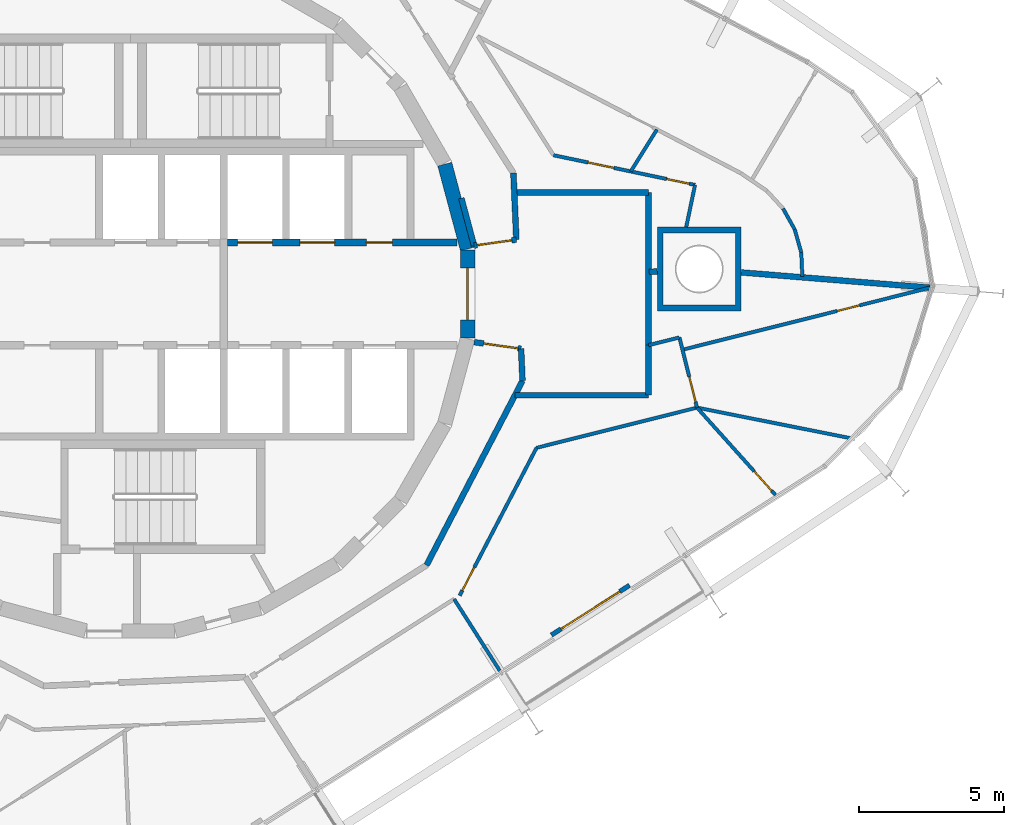
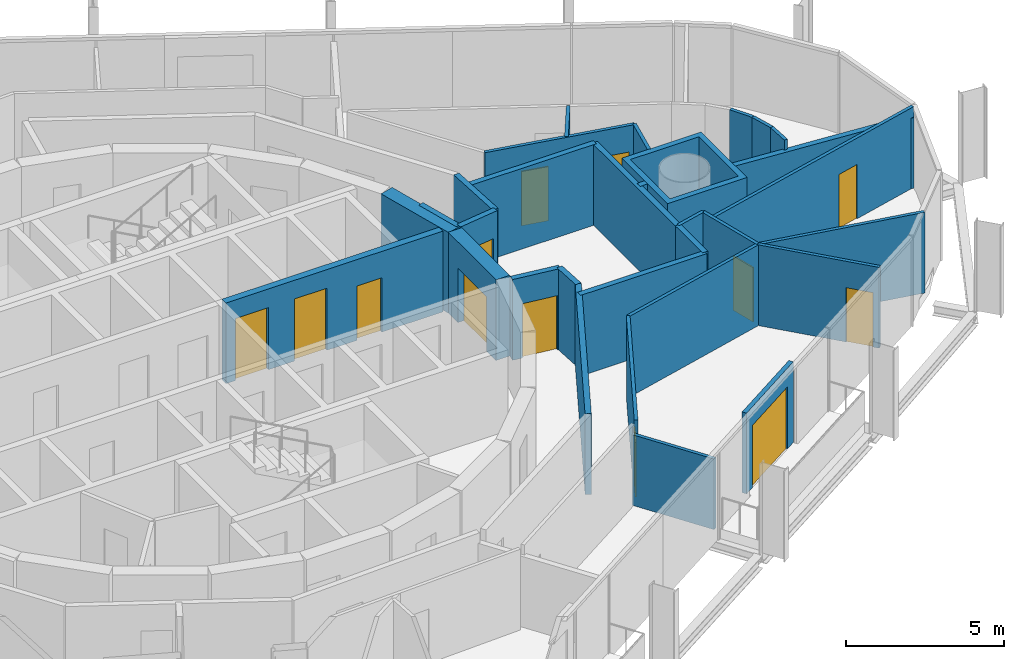
# One storey, part 14 of 18: 31 walls, 13 doors, 13 openings.
"""IFC4 building model written with IfcOpenShell, lengths in metres."""

from ifc_helpers import new_model, si_unit, direction, frame, frame_2d, origin, place, context, subcontext, project, spatial, polyline, rectangle, outline, extrude, material, layer, layer_set, type_object, element, fill, save


model = new_model("IFC4")

# Units and contexts
model_context = context("Model", 3, precision=1e-05, world=origin(), true_north=direction((0.0, 1.0)))
body_context = subcontext(model_context, "Body", "Model", "MODEL_VIEW")
ifc_project = project(units=[si_unit("LENGTHUNIT", "METRE"), si_unit("AREAUNIT", "SQUARE_METRE"), si_unit("VOLUMEUNIT", "CUBIC_METRE"), si_unit("PLANEANGLEUNIT", "RADIAN"), si_unit("MASSUNIT", "GRAM", prefix="KILO")], contexts=[model_context])

# Site, building, storey
site_placement = place(None, origin())
site = spatial("IfcSite", under=ifc_project, at=site_placement, CompositionType="ELEMENT")
building_placement = place(site_placement, origin())
building = spatial("IfcBuilding", under=site, at=building_placement, Name="Spindle Arch Residences", CompositionType="ELEMENT")
storey_placement = place(building_placement, frame((0.0, 0.0, 233.699951171875)))
storey = spatial("IfcBuildingStorey", under=building, at=storey_placement, Name="L59", CompositionType="ELEMENT", Elevation=233.699951171875)

# Wall, opening, door
ifc_material_1 = material(Name="Concrete C50/60", Category="concrete")
ifc_layer_1 = layer(ifc_material_1, 0.5)
ifc_layer_set_1 = layer_set([ifc_layer_1], Name="Core outline wall 500")
wall_type_1 = type_object("IfcWallType", Name="Core outline wall 500", PredefinedType="SHEAR", material=ifc_layer_set_1)
wall_1_placement = place(storey_placement, frame((11.647216796875, -1.516357421875, 0.0), z_axis=(0.0, 0.0, 1.0), x_axis=(0.0, 1.0, 0.0)))
wall_1 = element("IfcWall", 1, at=wall_1_placement, inside=storey, type_object=wall_type_1, Name="Core outline wall 6", PredefinedType="SHEAR", context=body_context, shape_type="SweptSolid", body=[
    extrude(rectangle(XDim=3.03271484375, YDim=0.5, at=frame_2d((1.516357421875, 0.0))), origin(), (0.0, 0.0, 1.0), 3.1201171875),
])
opening_1_placement = place(wall_1_placement, frame((0.6162109375, 0.0, 0.0)))
opening_1 = element("IfcOpeningElement", 2, at=opening_1_placement, cuts=wall_1, Name="Opening R6A0-FE01", PredefinedType="OPENING", context=body_context, shape_type="SweptSolid", body=[
    extrude(rectangle(XDim=1.800048828125, YDim=2.10009765625, at=frame_2d((0.89990234375, 1.050048828125))), frame((0.0, 0.260009765625, 0.0), z_axis=(0.0, -1.0, 0.0), x_axis=(1.0, 0.0, 0.0)), (0.0, 0.0, 1.0), 0.52001953125),
])
ifc_material_2 = material(Name="Steel, fire-resisting door", Category="steel")
door_type_1 = type_object("IfcDoorType", Name="Fire-lift lobby door 1800x2100", OperationType="DOUBLE_DOOR_SINGLE_SWING", PredefinedType="DOOR", material=ifc_material_2)
door_1_placement = place(opening_1_placement, origin())
door_1 = element("IfcDoor", 3, at=door_1_placement, inside=storey, type_object=door_type_1, Name="Fire-lift lobby door R6A0-FE01", OperationType="DOUBLE_DOOR_SINGLE_SWING", OverallHeight=2.10009765625, OverallWidth=1.800048828125, PredefinedType="DOOR", context=body_context, shape_type="SweptSolid", body=[
    extrude(rectangle(XDim=1.800048828125, YDim=2.10009765625, at=frame_2d((0.89990234375, 1.050048828125))), frame((0.0, 0.02490234375, 0.0), z_axis=(0.0, -1.0, 0.0), x_axis=(1.0, 0.0, 0.0)), (0.0, 0.0, 1.0), 0.050048828125),
])
fill(opening_1, door_1)

# Walls
wall_2_placement = place(storey_placement, frame((11.642822265625, 1.5498046875, 0.0), z_axis=(0.0, 0.0, 1.0), x_axis=(-0.258734743916, 0.965948410781, 0.0)))
element("IfcWall", 4, at=wall_2_placement, inside=storey, type_object=wall_type_1, Name="Core outline wall 7", PredefinedType="SHEAR", context=body_context, shape_type="SweptSolid", body=[
    extrude(rectangle(XDim=3.03271484375, YDim=0.5, at=frame_2d((1.516357421875, 0.0))), origin(), (0.0, 0.0, 1.0), 3.1201171875),
])
ifc_material_3 = material(Name="Calcium silicate block, plastered")
ifc_layer_2 = layer(ifc_material_3, 0.199951171875)
ifc_layer_set_2 = layer_set([ifc_layer_2], Name="Fire-lift lobby bay wall 200")
wall_type_2 = type_object("IfcWallType", Name="Fire-lift lobby bay wall 200", PredefinedType="STANDARD", material=ifc_layer_set_2)
wall_3_placement = place(storey_placement, frame((11.8701171875, 1.668212890625, 0.0), z_axis=(0.0, 0.0, 1.0), x_axis=(-0.258836880648, 0.965921047093, 0.0)))
element("IfcWall", 5, at=wall_3_placement, inside=storey, type_object=wall_type_2, Name="Fire-lift lobby bay wall R6A0-W001", PredefinedType="STANDARD", context=body_context, shape_type="SweptSolid", body=[
    extrude(rectangle(XDim=1.695068359375, YDim=0.199951171875, at=frame_2d((0.84765625, 0.0))), origin(), (0.0, 0.0, 1.0), 3.1201171875),
])

# Wall, opening, door
wall_4_placement = place(storey_placement, frame((11.8701171875, 1.668212890625, 0.0), z_axis=(0.0, 0.0, 1.0), x_axis=(0.990267985606, 0.139173692496, 0.0)))
wall_4 = element("IfcWall", 6, at=wall_4_placement, inside=storey, type_object=wall_type_2, Name="Fire-lift lobby bay wall R6A0-W002", PredefinedType="STANDARD", context=body_context, shape_type="SweptSolid", body=[
    extrude(rectangle(XDim=1.475341796875, YDim=0.199951171875, at=frame_2d((0.73779296875, 0.0))), origin(), (0.0, 0.0, 1.0), 3.1201171875),
])
opening_2_placement = place(wall_4_placement, frame((0.110107421875, 0.0, 0.0)))
opening_2 = element("IfcOpeningElement", 7, at=opening_2_placement, cuts=wall_4, Name="Opening R6A0-CD01", PredefinedType="OPENING", context=body_context, shape_type="SweptSolid", body=[
    extrude(rectangle(XDim=1.199951171875, YDim=2.10009765625, at=frame_2d((0.60009765625, 1.050048828125))), frame((0.0, 0.10986328125, 0.0), z_axis=(0.0, -1.0, 0.0), x_axis=(1.0, 0.0, 0.0)), (0.0, 0.0, 1.0), 0.219970703125),
])
ifc_material_4 = material(Name="Steel, fire-resisting door", Category="steel")
door_type_2 = type_object("IfcDoorType", Name="Corridor division door 1200x2100", OperationType="NOTDEFINED", PredefinedType="DOOR", material=ifc_material_4)
door_2_placement = place(opening_2_placement, origin())
door_2 = element("IfcDoor", 8, at=door_2_placement, inside=storey, type_object=door_type_2, Name="Corridor division door R6A0-CD01", OperationType="DOUBLE_DOOR_SINGLE_SWING", OverallHeight=2.10009765625, OverallWidth=1.199951171875, PredefinedType="DOOR", context=body_context, shape_type="SweptSolid", body=[
    extrude(rectangle(XDim=1.199951171875, YDim=2.10009765625, at=frame_2d((0.60009765625, 1.050048828125))), frame((0.0, 0.02490234375, 0.0), z_axis=(0.0, -1.0, 0.0), x_axis=(1.0, 0.0, 0.0)), (0.0, 0.0, 1.0), 0.050048828125),
])
fill(opening_2, door_2)

# Walls
wall_5_placement = place(storey_placement, frame((13.3310546875, 1.87353515625, 0.0), z_axis=(0.0, 0.0, 1.0), x_axis=(-0.043621457762, 0.999048131184, 0.0)))
element("IfcWall", 9, at=wall_5_placement, inside=storey, type_object=wall_type_2, Name="Fire-lift lobby bay wall R6A0-W003", PredefinedType="STANDARD", context=body_context, shape_type="SweptSolid", body=[
    extrude(rectangle(XDim=2.30029296875, YDim=0.199951171875, at=frame_2d((1.150146484375, 0.0))), origin(), (0.0, 0.0, 1.0), 3.1201171875),
])
wall_6_placement = place(storey_placement, frame((10.22802734375, -9.372314453125, 0.0), z_axis=(0.0, 0.0, 1.0), x_axis=(0.461759464021, 0.887005184532, 0.0)))
element("IfcWall", 10, at=wall_6_placement, inside=storey, type_object=wall_type_2, Name="Fire-lift lobby bay wall R6A0-W013", PredefinedType="STANDARD", context=body_context, shape_type="SweptSolid", body=[
    extrude(rectangle(XDim=7.18115234375, YDim=0.199951171875, at=frame_2d((3.590576171875, 0.0))), origin(), (0.0, 0.0, 1.0), 3.1201171875),
])
wall_7_placement = place(storey_placement, frame((13.5439453125, -3.002685546875, 0.0), z_axis=(0.0, 0.0, 1.0), x_axis=(-0.043666917606, 0.999046145234, 0.0)))
element("IfcWall", 11, at=wall_7_placement, inside=storey, type_object=wall_type_2, Name="Fire-lift lobby bay wall R6A0-W014", PredefinedType="STANDARD", context=body_context, shape_type="SweptSolid", body=[
    extrude(rectangle(XDim=1.10693359375, YDim=0.199951171875, at=frame_2d((0.553466796875, 0.0))), origin(), (0.0, 0.0, 1.0), 3.1201171875),
])

# Wall, opening, door
wall_8_placement = place(storey_placement, frame((13.49560546875, -1.896728515625, 0.0), z_axis=(0.0, 0.0, 1.0), x_axis=(-0.99026234641, 0.139213811391, 0.0)))
wall_8 = element("IfcWall", 12, at=wall_8_placement, inside=storey, type_object=wall_type_2, Name="Fire-lift lobby bay wall R6A0-W015", PredefinedType="STANDARD", context=body_context, shape_type="SweptSolid", body=[
    extrude(rectangle(XDim=1.641357421875, YDim=0.199951171875, at=frame_2d((0.82080078125, 0.0))), origin(), (0.0, 0.0, 1.0), 3.1201171875),
])
opening_3_placement = place(wall_8_placement, frame((0.110107421875, 0.0, 0.0)))
opening_3 = element("IfcOpeningElement", 13, at=opening_3_placement, cuts=wall_8, Name="Opening R6A0-CD02", PredefinedType="OPENING", context=body_context, shape_type="SweptSolid", body=[
    extrude(rectangle(XDim=1.199951171875, YDim=2.10009765625, at=frame_2d((0.60009765625, 1.050048828125))), frame((0.0, 0.10986328125, 0.0), z_axis=(0.0, -1.0, 0.0), x_axis=(1.0, 0.0, 0.0)), (0.0, 0.0, 1.0), 0.219970703125),
])
door_3_placement = place(opening_3_placement, origin())
door_3 = element("IfcDoor", 14, at=door_3_placement, inside=storey, type_object=door_type_2, Name="Corridor division door R6A0-CD02", OperationType="DOUBLE_DOOR_SINGLE_SWING", OverallHeight=2.10009765625, OverallWidth=1.199951171875, PredefinedType="DOOR", context=body_context, shape_type="SweptSolid", body=[
    extrude(rectangle(XDim=1.199951171875, YDim=2.10009765625, at=frame_2d((0.60009765625, 1.050048828125))), frame((0.0, 0.02490234375, 0.0), z_axis=(0.0, -1.0, 0.0), x_axis=(1.0, 0.0, 0.0)), (0.0, 0.0, 1.0), 0.050048828125),
])
fill(opening_3, door_3)

# Walls
wall_9_placement = place(storey_placement, frame((17.89990234375, -1.77197265625, 0.0), z_axis=(0.0, 0.0, 1.0), x_axis=(0.0, 1.0, 0.0)))
element("IfcWall", 15, at=wall_9_placement, inside=storey, type_object=wall_type_2, Name="Fire-lift lobby bay wall R6A0-W025", PredefinedType="STANDARD", context=body_context, shape_type="SweptSolid", body=[
    extrude(rectangle(XDim=5.27197265625, YDim=0.199951171875, at=frame_2d((2.635986328125, 0.0))), origin(), (0.0, 0.0, 1.0), 3.1201171875),
])
wall_10_placement = place(storey_placement, frame((17.89990234375, 3.5, 0.0), z_axis=(0.0, 0.0, 1.0), x_axis=(-1.0, 0.0, 0.0)))
element("IfcWall", 16, at=wall_10_placement, inside=storey, type_object=wall_type_2, Name="Fire-lift lobby bay wall R6A0-W026", PredefinedType="STANDARD", context=body_context, shape_type="SweptSolid", body=[
    extrude(rectangle(XDim=4.639892578125, YDim=0.199951171875, at=frame_2d((2.31982421875, 0.0))), origin(), (0.0, 0.0, 1.0), 3.1201171875),
])
wall_11_placement = place(storey_placement, frame((13.284912109375, -3.5, 0.0), z_axis=(0.0, 0.0, 1.0), x_axis=(1.0, 0.0, 0.0)))
element("IfcWall", 17, at=wall_11_placement, inside=storey, type_object=wall_type_2, Name="Fire-lift lobby bay wall R6A0-W027", PredefinedType="STANDARD", context=body_context, shape_type="SweptSolid", body=[
    extrude(rectangle(XDim=4.614990234375, YDim=0.199951171875, at=frame_2d((2.3076171875, 0.0))), origin(), (0.0, 0.0, 1.0), 3.1201171875),
])
wall_12_placement = place(storey_placement, frame((17.89990234375, -3.5, 0.0), z_axis=(0.0, 0.0, 1.0), x_axis=(0.0, 1.0, 0.0)))
element("IfcWall", 18, at=wall_12_placement, inside=storey, type_object=wall_type_2, Name="Fire-lift lobby bay wall R6A0-W028", PredefinedType="STANDARD", context=body_context, shape_type="SweptSolid", body=[
    extrude(rectangle(XDim=1.72802734375, YDim=0.199951171875, at=frame_2d((0.864013671875, 0.0))), origin(), (0.0, 0.0, 1.0), 3.1201171875),
])

# Wall, openings, doors
ifc_material_5 = material(Name="Concrete C40/50", Category="concrete")
ifc_layer_3 = layer(ifc_material_5, 0.25)
ifc_layer_set_3 = layer_set([ifc_layer_3], Name="Fire-lift lobby wall 250")
wall_type_3 = type_object("IfcWallType", Name="Fire-lift lobby wall 250", PredefinedType="SHEAR", material=ifc_layer_set_3)
wall_13_placement = place(storey_placement, frame((3.35009765625, 1.77490234375, 0.0), z_axis=(0.0, 0.0, 1.0), x_axis=(1.0, 0.0, 0.0)))
wall_13 = element("IfcWall", 19, at=wall_13_placement, inside=storey, type_object=wall_type_3, Name="Lift shaft front wall NE", PredefinedType="SHEAR", context=body_context, shape_type="SweptSolid", body=[
    extrude(rectangle(XDim=7.929931640625, YDim=0.25, at=frame_2d((3.96484375, 0.0))), origin(), (0.0, 0.0, 1.0), 3.1201171875),
])
opening_4_placement = place(wall_13_placement, frame((0.35009765625, 0.0, 0.0)))
opening_4 = element("IfcOpeningElement", 20, at=opening_4_placement, cuts=wall_13, Name="Opening R6A0-SLD01", PredefinedType="OPENING", context=body_context, shape_type="SweptSolid", body=[
    extrude(rectangle(XDim=1.199951171875, YDim=2.39990234375, at=frame_2d((0.60009765625, 1.199951171875))), frame((0.0, 0.135009765625, 0.0), z_axis=(0.0, -1.0, 0.0), x_axis=(1.0, 0.0, 0.0)), (0.0, 0.0, 1.0), 0.27001953125),
])
opening_5_placement = place(wall_13_placement, frame((2.5, 0.0, 0.0)))
opening_5 = element("IfcOpeningElement", 21, at=opening_5_placement, cuts=wall_13, Name="Opening R6A0-SLD02", PredefinedType="OPENING", context=body_context, shape_type="SweptSolid", body=[
    extrude(rectangle(XDim=1.199951171875, YDim=2.39990234375, at=frame_2d((0.60009765625, 1.199951171875))), frame((0.0, 0.135009765625, 0.0), z_axis=(0.0, -1.0, 0.0), x_axis=(1.0, 0.0, 0.0)), (0.0, 0.0, 1.0), 0.27001953125),
])
opening_6_placement = place(wall_13_placement, frame((4.800048828125, 0.0, 0.0)))
opening_6 = element("IfcOpeningElement", 22, at=opening_6_placement, cuts=wall_13, Name="Opening R6A0-WD03", PredefinedType="OPENING", context=body_context, shape_type="SweptSolid", body=[
    extrude(rectangle(XDim=0.89990234375, YDim=2.10009765625, at=frame_2d((0.449951171875, 1.050048828125))), frame((0.0, 0.135009765625, 0.0), z_axis=(0.0, -1.0, 0.0), x_axis=(1.0, 0.0, 0.0)), (0.0, 0.0, 1.0), 0.27001953125),
])
ifc_material_6 = material(Name="Steel, fire-resisting landing door", Category="steel")
door_type_3 = type_object("IfcDoorType", Name="Service lift landing door 1200x2400", OperationType="DOUBLE_DOOR_SLIDING", PredefinedType="DOOR", material=ifc_material_6)
door_4_placement = place(opening_4_placement, origin())
door_4 = element("IfcDoor", 23, at=door_4_placement, inside=storey, type_object=door_type_3, Name="Service lift landing door R6A0-SLD01", OperationType="DOUBLE_DOOR_SLIDING", OverallHeight=2.39990234375, OverallWidth=1.199951171875, PredefinedType="DOOR", context=body_context, shape_type="SweptSolid", body=[
    extrude(rectangle(XDim=1.199951171875, YDim=2.39990234375, at=frame_2d((0.60009765625, 1.199951171875))), frame((0.0, 0.02490234375, 0.0), z_axis=(0.0, -1.0, 0.0), x_axis=(1.0, 0.0, 0.0)), (0.0, 0.0, 1.0), 0.050048828125),
])
fill(opening_4, door_4)
door_5_placement = place(opening_5_placement, origin())
door_5 = element("IfcDoor", 24, at=door_5_placement, inside=storey, type_object=door_type_3, Name="Service lift landing door R6A0-SLD02", OperationType="DOUBLE_DOOR_SLIDING", OverallHeight=2.39990234375, OverallWidth=1.199951171875, PredefinedType="DOOR", context=body_context, shape_type="SweptSolid", body=[
    extrude(rectangle(XDim=1.199951171875, YDim=2.39990234375, at=frame_2d((0.60009765625, 1.199951171875))), frame((0.0, 0.02490234375, 0.0), z_axis=(0.0, -1.0, 0.0), x_axis=(1.0, 0.0, 0.0)), (0.0, 0.0, 1.0), 0.050048828125),
])
fill(opening_5, door_5)
ifc_material_7 = material(Name="Steel, fire-resisting door", Category="steel")
door_type_4 = type_object("IfcDoorType", Name="Service room door 900x2100", OperationType="SINGLE_SWING_LEFT", PredefinedType="DOOR", material=ifc_material_7)
door_6_placement = place(opening_6_placement, origin())
door_6 = element("IfcDoor", 25, at=door_6_placement, inside=storey, type_object=door_type_4, Name="Service room door R6A0-WD03", OperationType="SINGLE_SWING_LEFT", OverallHeight=2.10009765625, OverallWidth=0.89990234375, PredefinedType="DOOR", context=body_context, shape_type="SweptSolid", body=[
    extrude(rectangle(XDim=0.89990234375, YDim=2.10009765625, at=frame_2d((0.449951171875, 1.050048828125))), frame((0.0, 0.02490234375, 0.0), z_axis=(0.0, -1.0, 0.0), x_axis=(1.0, 0.0, 0.0)), (0.0, 0.0, 1.0), 0.050048828125),
])
fill(opening_6, door_6)

# Wall
ifc_material_8 = material(Name="Plasterboard on steel studs", Category="steel")
ifc_layer_4 = layer(ifc_material_8, 0.1201171875)
ifc_layer_set_4 = layer_set([ifc_layer_4], Name="Flat partition 120")
wall_type_4 = type_object("IfcWallType", Name="Flat partition 120", PredefinedType="PARTITIONING", material=ifc_layer_set_4)
wall_14_placement = place(storey_placement, frame((19.19921875, 2.307861328125, 0.0), z_axis=(0.0, 0.0, 1.0), x_axis=(0.205580140246, 0.978640284239, 0.0)))
element("IfcWall", 26, at=wall_14_placement, inside=storey, type_object=wall_type_4, Name="Flat partition R6A0-W041", PredefinedType="PARTITIONING", context=body_context, shape_type="SweptSolid", body=[
    extrude(rectangle(XDim=1.48681640625, YDim=0.1201171875, at=frame_2d((0.743408203125, 0.0))), origin(), (0.0, 0.0, 1.0), 3.1201171875),
])

# Wall, openings, doors
wall_15_placement = place(storey_placement, frame((19.5048828125, 3.762939453125, 0.0), z_axis=(0.0, 0.0, 1.0), x_axis=(-0.978660081285, 0.205485876157, 0.0)))
wall_15 = element("IfcWall", 27, at=wall_15_placement, inside=storey, type_object=wall_type_4, Name="Flat partition R6A0-W042", PredefinedType="PARTITIONING", context=body_context, shape_type="SweptSolid", body=[
    extrude(rectangle(XDim=4.99609375, YDim=0.1201171875, at=frame_2d((2.498046875, 0.0))), origin(), (0.0, 0.0, 1.0), 3.1201171875),
])
opening_7_placement = place(wall_15_placement, frame((0.199951171875, 0.0, 0.0)))
opening_7 = element("IfcOpeningElement", 28, at=opening_7_placement, cuts=wall_15, Name="Opening R6A0-BD01", PredefinedType="OPENING", context=body_context, shape_type="SweptSolid", body=[
    extrude(rectangle(XDim=0.800048828125, YDim=2.10009765625, at=frame_2d((0.39990234375, 1.050048828125))), frame((0.0, 0.070068359375, 0.0), z_axis=(0.0, -1.0, 0.0), x_axis=(1.0, 0.0, 0.0)), (0.0, 0.0, 1.0), 0.14013671875),
])
opening_8_placement = place(wall_15_placement, frame((2.86865234375, 0.0, 0.0)))
opening_8 = element("IfcOpeningElement", 29, at=opening_8_placement, cuts=wall_15, Name="Opening R6A0-ID01", PredefinedType="OPENING", context=body_context, shape_type="SweptSolid", body=[
    extrude(rectangle(XDim=0.89990234375, YDim=2.10009765625, at=frame_2d((0.449951171875, 1.050048828125))), frame((0.0, 0.070068359375, 0.0), z_axis=(0.0, -1.0, 0.0), x_axis=(1.0, 0.0, 0.0)), (0.0, 0.0, 1.0), 0.14013671875),
])
ifc_material_9 = material(Name="Timber door set", Category="wood")
door_type_5 = type_object("IfcDoorType", Name="Bathroom door 800x2100", OperationType="NOTDEFINED", PredefinedType="DOOR", material=ifc_material_9)
door_7_placement = place(opening_7_placement, origin())
door_7 = element("IfcDoor", 30, at=door_7_placement, inside=storey, type_object=door_type_5, Name="Bathroom door R6A0-BD01", OperationType="SINGLE_SWING_LEFT", OverallHeight=2.10009765625, OverallWidth=0.800048828125, PredefinedType="DOOR", context=body_context, shape_type="SweptSolid", body=[
    extrude(rectangle(XDim=0.800048828125, YDim=2.10009765625, at=frame_2d((0.39990234375, 1.050048828125))), frame((0.0, 0.02490234375, 0.0), z_axis=(0.0, -1.0, 0.0), x_axis=(1.0, 0.0, 0.0)), (0.0, 0.0, 1.0), 0.050048828125),
])
fill(opening_7, door_7)
ifc_material_10 = material(Name="Timber door set", Category="wood")
door_type_6 = type_object("IfcDoorType", Name="Room door 900x2100", OperationType="NOTDEFINED", PredefinedType="DOOR", material=ifc_material_10)
door_8_placement = place(opening_8_placement, origin())
door_8 = element("IfcDoor", 31, at=door_8_placement, inside=storey, type_object=door_type_6, Name="Room door R6A0-ID01", OperationType="SINGLE_SWING_LEFT", OverallHeight=2.10009765625, OverallWidth=0.89990234375, PredefinedType="DOOR", context=body_context, shape_type="SweptSolid", body=[
    extrude(rectangle(XDim=0.89990234375, YDim=2.10009765625, at=frame_2d((0.449951171875, 1.050048828125))), frame((0.0, 0.02490234375, 0.0), z_axis=(0.0, -1.0, 0.0), x_axis=(1.0, 0.0, 0.0)), (0.0, 0.0, 1.0), 0.050048828125),
])
fill(opening_8, door_8)

# Walls
wall_16_placement = place(storey_placement, frame((22.544189453125, 2.947998046875, 0.0), z_axis=(0.0, 0.0, 1.0), x_axis=(0.487392269075, -0.873183128585, 0.0)))
element("IfcWall", 32, at=wall_16_placement, inside=storey, type_object=wall_type_4, Name="Flat partition R6A0-W046", PredefinedType="PARTITIONING", context=body_context, shape_type="SweptSolid", body=[
    extrude(rectangle(XDim=0.8291015625, YDim=0.1201171875, at=frame_2d((0.41455078125, 0.0))), origin(), (0.0, 0.0, 1.0), 3.1201171875),
])
for number, where, z_axis, x_axis, name in (
    (33, (22.9482421875, 2.22412109375, 0.0), (0.0, 0.0, 1.0), (0.272775267496, -0.96207777931, 0.0), "Flat partition R6A0-W047"),
    (34, (23.17431640625, 1.4267578125, 0.0), (0.0, 0.0, 1.0), (0.043884567994, -0.999036608284, 0.0), "Flat partition R6A0-W048"),
):
    element("IfcWall", number, at=place(storey_placement, frame(where, z_axis=z_axis, x_axis=x_axis)), inside=storey, type_object=wall_type_4, Name=name, PredefinedType="PARTITIONING", context=body_context, shape_type="SweptSolid", body=[
        extrude(rectangle(XDim=0.828857421875, YDim=0.1201171875, at=frame_2d((0.41455078125, 0.0))), origin(), (0.0, 0.0, 1.0), 3.1201171875),
    ])
wall_17_placement = place(storey_placement, frame((18.188720703125, 5.67724609375, 0.0), z_axis=(0.0, 0.0, 1.0), x_axis=(-0.529639004581, -0.848223157445, 0.0)))
element("IfcWall", 35, at=wall_17_placement, inside=storey, type_object=wall_type_4, Name="Flat partition R6A0-W050", PredefinedType="PARTITIONING", context=body_context, shape_type="SweptSolid", body=[
    extrude(rectangle(XDim=1.707275390625, YDim=0.1201171875, at=frame_2d((0.853515625, 0.0))), origin(), (0.0, 0.0, 1.0), 3.1201171875),
])

# Wall, opening, door
wall_18_placement = place(storey_placement, frame((11.373046875, -10.42138671875, 0.0), z_axis=(0.0, 0.0, 1.0), x_axis=(0.461738939635, 0.887015868869, 0.0)))
wall_18 = element("IfcWall", 36, at=wall_18_placement, inside=storey, type_object=wall_type_4, Name="Flat partition R6A0-W110", PredefinedType="PARTITIONING", context=body_context, shape_type="SweptSolid", body=[
    extrude(rectangle(XDim=5.751708984375, YDim=0.1201171875, at=frame_2d((2.8759765625, 0.0))), origin(), (0.0, 0.0, 1.0), 3.1201171875),
])
opening_9_placement = place(wall_18_placement, frame((0.199951171875, 0.0, 0.0)))
opening_9 = element("IfcOpeningElement", 37, at=opening_9_placement, cuts=wall_18, Name="Opening R6A0-ID24", PredefinedType="OPENING", context=body_context, shape_type="SweptSolid", body=[
    extrude(rectangle(XDim=0.89990234375, YDim=2.10009765625, at=frame_2d((0.449951171875, 1.050048828125))), frame((0.0, 0.070068359375, 0.0), z_axis=(0.0, -1.0, 0.0), x_axis=(1.0, 0.0, 0.0)), (0.0, 0.0, 1.0), 0.14013671875),
])
door_9_placement = place(opening_9_placement, origin())
door_9 = element("IfcDoor", 38, at=door_9_placement, inside=storey, type_object=door_type_6, Name="Room door R6A0-ID24", OperationType="SINGLE_SWING_RIGHT", OverallHeight=2.10009765625, OverallWidth=0.89990234375, PredefinedType="DOOR", context=body_context, shape_type="SweptSolid", body=[
    extrude(rectangle(XDim=0.89990234375, YDim=2.10009765625, at=frame_2d((0.449951171875, 1.050048828125))), frame((0.0, 0.02490234375, 0.0), z_axis=(0.0, -1.0, 0.0), x_axis=(1.0, 0.0, 0.0)), (0.0, 0.0, 1.0), 0.050048828125),
])
fill(opening_9, door_9)

# Wall
wall_19_placement = place(storey_placement, frame((14.02880859375, -5.319580078125, 0.0), z_axis=(0.0, 0.0, 1.0), x_axis=(0.969999099814, 0.243108507378, 0.0)))
element("IfcWall", 39, at=wall_19_placement, inside=storey, type_object=wall_type_4, Name="Flat partition R6A0-W111", PredefinedType="PARTITIONING", context=body_context, shape_type="SweptSolid", body=[
    extrude(rectangle(XDim=5.715087890625, YDim=0.1201171875, at=frame_2d((2.857421875, 0.0))), origin(), (0.0, 0.0, 1.0), 3.1201171875),
])

# Wall, opening, door
wall_20_placement = place(storey_placement, frame((19.572509765625, -3.93017578125, 0.0), z_axis=(0.0, 0.0, 1.0), x_axis=(-0.243155959183, 0.96998720585, 0.0)))
wall_20 = element("IfcWall", 40, at=wall_20_placement, inside=storey, type_object=wall_type_4, Name="Flat partition R6A0-W112", PredefinedType="PARTITIONING", context=body_context, shape_type="SweptSolid", body=[
    extrude(rectangle(XDim=2.5, YDim=0.1201171875, at=frame_2d((1.25, 0.0))), origin(), (0.0, 0.0, 1.0), 3.1201171875),
])
opening_10_placement = place(wall_20_placement, frame((0.199951171875, 0.0, 0.0)))
opening_10 = element("IfcOpeningElement", 41, at=opening_10_placement, cuts=wall_20, Name="Opening R6A0-ID25", PredefinedType="OPENING", context=body_context, shape_type="SweptSolid", body=[
    extrude(rectangle(XDim=0.89990234375, YDim=2.10009765625, at=frame_2d((0.449951171875, 1.050048828125))), frame((0.0, 0.070068359375, 0.0), z_axis=(0.0, -1.0, 0.0), x_axis=(1.0, 0.0, 0.0)), (0.0, 0.0, 1.0), 0.14013671875),
])
door_10_placement = place(opening_10_placement, origin())
door_10 = element("IfcDoor", 42, at=door_10_placement, inside=storey, type_object=door_type_6, Name="Room door R6A0-ID25", OperationType="SINGLE_SWING_RIGHT", OverallHeight=2.10009765625, OverallWidth=0.89990234375, PredefinedType="DOOR", context=body_context, shape_type="SweptSolid", body=[
    extrude(rectangle(XDim=0.89990234375, YDim=2.10009765625, at=frame_2d((0.449951171875, 1.050048828125))), frame((0.0, 0.02490234375, 0.0), z_axis=(0.0, -1.0, 0.0), x_axis=(1.0, 0.0, 0.0)), (0.0, 0.0, 1.0), 0.050048828125),
])
fill(opening_10, door_10)

# Wall
wall_21_placement = place(storey_placement, frame((18.964599609375, -1.505126953125, 0.0), z_axis=(0.0, 0.0, 1.0), x_axis=(-0.969998406835, -0.243111272339, 0.0)))
element("IfcWall", 43, at=wall_21_placement, inside=storey, type_object=wall_type_4, Name="Flat partition R6A0-W113", PredefinedType="PARTITIONING", context=body_context, shape_type="SweptSolid", body=[
    extrude(rectangle(XDim=1.09765625, YDim=0.1201171875, at=frame_2d((0.548828125, 0.0))), origin(), (0.0, 0.0, 1.0), 3.1201171875),
])

# Wall, opening, door
wall_22_placement = place(storey_placement, frame((22.283935546875, -6.949462890625, 0.0), z_axis=(0.0, 0.0, 1.0), x_axis=(-0.668156639948, 0.744020634454, 0.0)))
wall_22 = element("IfcWall", 44, at=wall_22_placement, inside=storey, type_object=wall_type_4, Name="Flat partition R6A0-W115", PredefinedType="PARTITIONING", context=body_context, shape_type="SweptSolid", body=[
    extrude(rectangle(XDim=4.05810546875, YDim=0.1201171875, at=frame_2d((2.029052734375, 0.0))), origin(), (0.0, 0.0, 1.0), 3.1201171875),
])
opening_11_placement = place(wall_22_placement, frame((0.199951171875, 0.0, 0.0)))
opening_11 = element("IfcOpeningElement", 45, at=opening_11_placement, cuts=wall_22, Name="Opening R6A0-ID26", PredefinedType="OPENING", context=body_context, shape_type="SweptSolid", body=[
    extrude(rectangle(XDim=0.89990234375, YDim=2.10009765625, at=frame_2d((0.449951171875, 1.050048828125))), frame((0.0, 0.070068359375, 0.0), z_axis=(0.0, -1.0, 0.0), x_axis=(1.0, 0.0, 0.0)), (0.0, 0.0, 1.0), 0.14013671875),
])
door_11_placement = place(opening_11_placement, origin())
door_11 = element("IfcDoor", 46, at=door_11_placement, inside=storey, type_object=door_type_6, Name="Room door R6A0-ID26", OperationType="SINGLE_SWING_RIGHT", OverallHeight=2.10009765625, OverallWidth=0.89990234375, PredefinedType="DOOR", context=body_context, shape_type="SweptSolid", body=[
    extrude(rectangle(XDim=0.89990234375, YDim=2.10009765625, at=frame_2d((0.449951171875, 1.050048828125))), frame((0.0, 0.02490234375, 0.0), z_axis=(0.0, -1.0, 0.0), x_axis=(1.0, 0.0, 0.0)), (0.0, 0.0, 1.0), 0.050048828125),
])
fill(opening_11, door_11)

# Wall
wall_23_placement = place(storey_placement, frame((25.021484375, -5.014892578125, 0.0), z_axis=(0.0, 0.0, 1.0), x_axis=(-0.98075605246, 0.195237203328, 0.0)))
element("IfcWall", 47, at=wall_23_placement, inside=storey, type_object=wall_type_4, Name="Flat partition R6A0-W116", PredefinedType="PARTITIONING", context=body_context, shape_type="SweptSolid", body=[
    extrude(rectangle(XDim=5.555908203125, YDim=0.1201171875, at=frame_2d((2.77783203125, 0.0))), origin(), (0.0, 0.0, 1.0), 3.1201171875),
])

# Wall, opening, door
wall_24_placement = place(storey_placement, frame((27.616455078125, 0.211669921875, 0.0), z_axis=(0.0, 0.0, 1.0), x_axis=(-0.969995609005, -0.243122435227, 0.0)))
wall_24 = element("IfcWall", 48, at=wall_24_placement, inside=storey, type_object=wall_type_4, Name="Flat partition R6A0-W117", PredefinedType="PARTITIONING", context=body_context, shape_type="SweptSolid", body=[
    extrude(rectangle(XDim=8.809814453125, YDim=0.1201171875, at=frame_2d((4.40478515625, 0.0))), origin(), (0.0, 0.0, 1.0), 3.1201171875),
])
opening_12_placement = place(wall_24_placement, frame((2.5, 0.0, 0.0)))
opening_12 = element("IfcOpeningElement", 49, at=opening_12_placement, cuts=wall_24, Name="Opening R6A0-BD07", PredefinedType="OPENING", context=body_context, shape_type="SweptSolid", body=[
    extrude(rectangle(XDim=0.800048828125, YDim=2.10009765625, at=frame_2d((0.39990234375, 1.050048828125))), frame((0.0, 0.070068359375, 0.0), z_axis=(0.0, -1.0, 0.0), x_axis=(1.0, 0.0, 0.0)), (0.0, 0.0, 1.0), 0.14013671875),
])
door_12_placement = place(opening_12_placement, origin())
door_12 = element("IfcDoor", 50, at=door_12_placement, inside=storey, type_object=door_type_5, Name="Bathroom door R6A0-BD07", OperationType="SINGLE_SWING_RIGHT", OverallHeight=2.10009765625, OverallWidth=0.800048828125, PredefinedType="DOOR", context=body_context, shape_type="SweptSolid", body=[
    extrude(rectangle(XDim=0.800048828125, YDim=2.10009765625, at=frame_2d((0.39990234375, 1.050048828125))), frame((0.0, 0.02490234375, 0.0), z_axis=(0.0, -1.0, 0.0), x_axis=(1.0, 0.0, 0.0)), (0.0, 0.0, 1.0), 0.050048828125),
])
fill(opening_12, door_12)

# Walls
ifc_material_11 = material(Name="Plasterboard on steel studs", Category="steel")
ifc_layer_5 = layer(ifc_material_11, 0.1201171875)
ifc_layer_set_5 = layer_set([ifc_layer_5], Name="Flat partition 120 under beam 2730")
wall_type_5 = type_object("IfcWallType", Name="Flat partition 120 under beam 2730", PredefinedType="PARTITIONING", material=ifc_layer_set_5)
wall_25_placement = place(storey_placement, frame((12.7578125, -13.018310546875, 0.0), z_axis=(0.0, 0.0, 1.0), x_axis=(-0.537338423153, 0.843366716798, 0.0)))
element("IfcWall", 51, at=wall_25_placement, inside=storey, type_object=wall_type_5, Name="Flat partition R6A0-W114", PredefinedType="PARTITIONING", context=body_context, shape_type="SweptSolid", body=[
    extrude(rectangle(XDim=2.93408203125, YDim=0.1201171875, at=frame_2d((1.467041015625, 0.0))), origin(), (0.0, 0.0, 1.0), 2.72998046875),
])
ifc_material_12 = material(Name="Calcium silicate block, plastered")
ifc_layer_6 = layer(ifc_material_12, 0.199951171875)
ifc_layer_set_6 = layer_set([ifc_layer_6], Name="Flat party wall 200")
wall_type_6 = type_object("IfcWallType", Name="Flat party wall 200", PredefinedType="STANDARD", material=ifc_layer_set_6)
wall_26_placement = place(storey_placement, frame((17.919921875, 0.761474609375, 0.0), z_axis=(0.0, 0.0, 1.0), x_axis=(0.999051221661, 0.04355061995, 0.0)))
element("IfcWall", 52, at=wall_26_placement, inside=storey, type_object=wall_type_6, Name="Flat party wall R6A0-W030", PredefinedType="STANDARD", context=body_context, shape_type="SweptSolid", body=[
    extrude(rectangle(XDim=0.2802734375, YDim=0.199951171875, at=frame_2d((0.14013671875, 0.0))), origin(), (0.0, 0.0, 1.0), 3.1201171875),
])
ifc_material_13 = material(Name="Calcium silicate block, plastered")
ifc_layer_7 = layer(ifc_material_13, 0.199951171875)
ifc_layer_set_7 = layer_set([ifc_layer_7], Name="Flat party wall 200 under beam 2730")
wall_type_7 = type_object("IfcWallType", Name="Flat party wall 200 under beam 2730", PredefinedType="STANDARD", material=ifc_layer_set_7)
wall_27_placement = place(storey_placement, frame((21.10009765625, 0.74072265625, 0.0), z_axis=(0.0, 0.0, 1.0), x_axis=(0.996750718609, -0.080548153006, 0.0)))
element("IfcWall", 53, at=wall_27_placement, inside=storey, type_object=wall_type_7, Name="Flat party wall R6A0-W031", PredefinedType="STANDARD", context=body_context, shape_type="SweptSolid", body=[
    extrude(rectangle(XDim=6.537841796875, YDim=0.199951171875, at=frame_2d((3.26904296875, 0.0))), origin(), (0.0, 0.0, 1.0), 2.72998046875),
])

# Wall, opening, door
ifc_material_14 = material(Name="Non-combustible mineral wool insulated aluminium faced external wall (K0)", Category="aluminium")
ifc_layer_8 = layer(ifc_material_14, 0.159912109375)
ifc_layer_set_8 = layer_set([ifc_layer_8], Name="Insulated external wall panel 160")
wall_type_8 = type_object("IfcWallType", Name="Insulated external wall panel 160", PredefinedType="STANDARD", material=ifc_layer_set_8)
wall_28_placement = place(storey_placement, frame((14.540771484375, -11.78759765625, 0.0), z_axis=(0.0, 0.0, 1.0), x_axis=(0.843419508298, 0.53725555653, 0.0)))
wall_28 = element("IfcWall", 54, at=wall_28_placement, inside=storey, type_object=wall_type_8, Name="External wall L59 bay 1", PredefinedType="STANDARD", context=body_context, shape_type="SweptSolid", body=[
    extrude(rectangle(XDim=3.199951171875, YDim=0.159912109375, at=frame_2d((1.60009765625, 0.0))), origin(), (0.0, 0.0, 1.0), 3.1201171875),
])
opening_13_placement = place(wall_28_placement, frame((0.39990234375, 0.0, 0.0)))
opening_13 = element("IfcOpeningElement", 55, at=opening_13_placement, cuts=wall_28, Name="Opening BD01", PredefinedType="OPENING", context=body_context, shape_type="SweptSolid", body=[
    extrude(rectangle(XDim=2.39990234375, YDim=2.39990234375, at=frame_2d((1.199951171875, 1.199951171875))), frame((0.0, 0.08984375, 0.0), z_axis=(0.0, -1.0, 0.0), x_axis=(1.0, 0.0, 0.0)), (0.0, 0.0, 1.0), 0.179931640625),
])
ifc_material_15 = material(Name="Bronze aluminium frame, tinted double glazing", Category="aluminium")
door_type_7 = type_object("IfcDoorType", Name="Sliding glazed balcony door 2400x2400", OperationType="DOUBLE_DOOR_SLIDING", PredefinedType="DOOR", material=ifc_material_15)
door_13_placement = place(opening_13_placement, origin())
door_13 = element("IfcDoor", 56, at=door_13_placement, inside=storey, type_object=door_type_7, Name="Balcony door BD01", OperationType="DOUBLE_DOOR_SLIDING", OverallHeight=2.39990234375, OverallWidth=2.39990234375, PredefinedType="DOOR", context=body_context, shape_type="SweptSolid", body=[
    extrude(rectangle(XDim=2.39990234375, YDim=2.39990234375, at=frame_2d((1.199951171875, 1.199951171875))), frame((0.0, 0.02490234375, 0.0), z_axis=(0.0, -1.0, 0.0), x_axis=(1.0, 0.0, 0.0)), (0.0, 0.0, 1.0), 0.050048828125),
])
fill(opening_13, door_13)

# Wall
ifc_material_16 = material(Name="Calcium silicate block, plastered")
ifc_layer_9 = layer(ifc_material_16, 0.199951171875)
ifc_layer_set_9 = layer_set([ifc_layer_9], Name="Mega-column casing wall 200")
wall_type_9 = type_object("IfcWallType", Name="Mega-column casing wall 200", PredefinedType="STANDARD", material=ifc_layer_set_9)
wall_29_placement = place(storey_placement, origin())
element("IfcWall", 57, at=wall_29_placement, inside=storey, type_object=wall_type_9, Name="Mega-column casing wall R6A0-WC01", PredefinedType="STANDARD", context=body_context, shape_type="SweptSolid", body=[
    extrude(outline(polyline([(21.10009765625, 2.307861328125), (21.10009765625, -0.592041015625), (18.199951171875, -0.592041015625), (18.199951171875, 2.307861328125), (21.10009765625, 2.307861328125)]), holes=[polyline([(18.39990234375, -0.39208984375), (20.89990234375, -0.39208984375), (20.89990234375, 2.10791015625), (18.39990234375, 2.10791015625), (18.39990234375, -0.39208984375)])]), origin(), (0.0, 0.0, 1.0), 3.1201171875),
])

save(model, "model.ifc")
